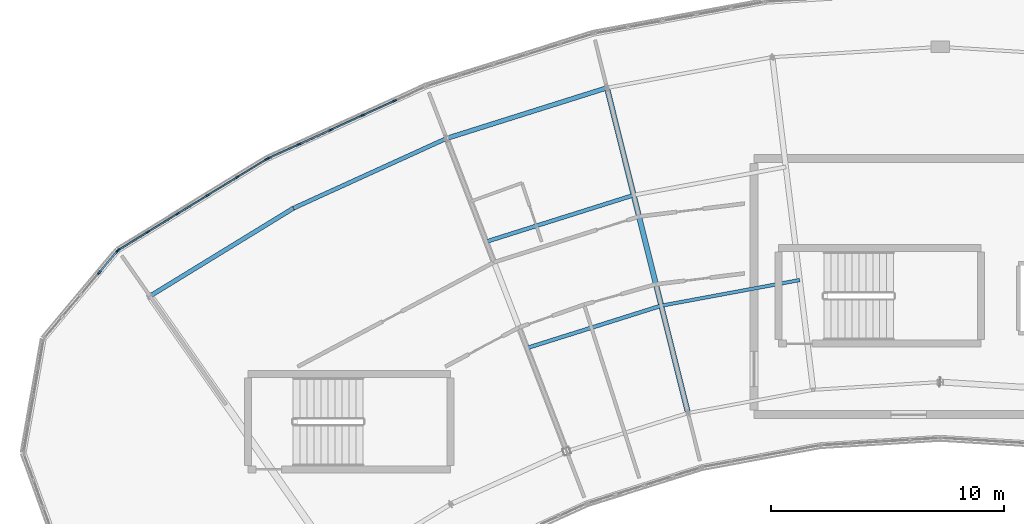
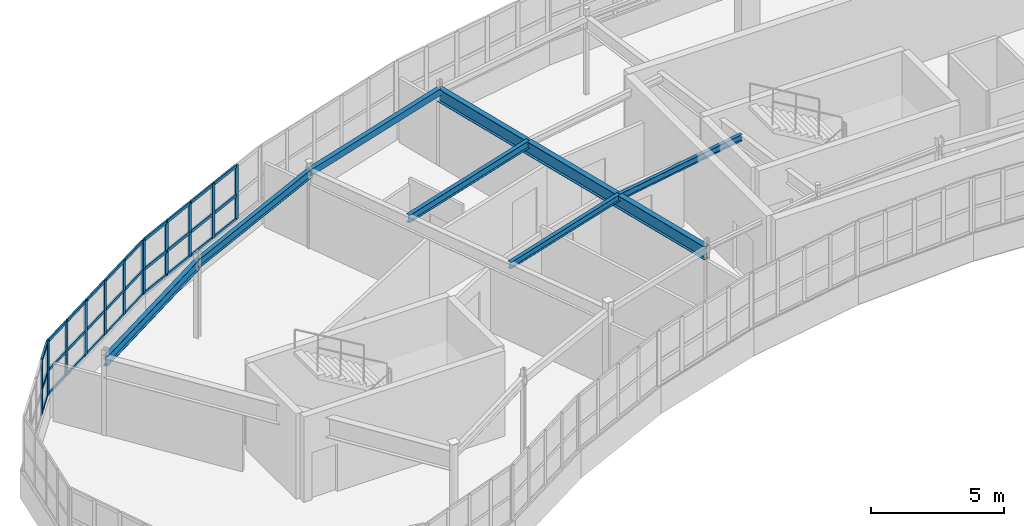
# One storey, part 35 of 79: 43 members, 7 beams, 3 elements without a shape of their own.
"""IFC4 building model written with IfcOpenShell, lengths in metres."""

from ifc_helpers import new_model, si_unit, direction, frame, origin, origin_2d, place, context, subcontext, project, spatial, rectangle, hollow_rectangle, i_section, extrude, material, layer, layer_set, material_profile, profile_set, type_object, element, aggregate, save


model = new_model("IFC4")

# Units and contexts
model_context = context("Model", 3, precision=1e-05, world=origin(), true_north=direction((0.0, 1.0)))
body_context = subcontext(model_context, "Body", "Model", "MODEL_VIEW")
ifc_project = project(units=[si_unit("LENGTHUNIT", "METRE"), si_unit("AREAUNIT", "SQUARE_METRE"), si_unit("VOLUMEUNIT", "CUBIC_METRE"), si_unit("PLANEANGLEUNIT", "RADIAN"), si_unit("MASSUNIT", "GRAM", prefix="KILO")], contexts=[model_context])

# Site, building, storey
site_placement = place(None, origin())
site = spatial("IfcSite", under=ifc_project, at=site_placement, CompositionType="ELEMENT")
building_placement = place(site_placement, origin())
building = spatial("IfcBuilding", under=site, at=building_placement, Name="Tarnwether General Hospital", CompositionType="ELEMENT")
storey_placement = place(building_placement, frame((0.0, 0.0, 18.300048828125)))
storey = spatial("IfcBuildingStorey", under=building, at=storey_placement, Name="L04", CompositionType="ELEMENT", Elevation=18.300048828125)

# Beams
ifc_material_1 = material(Name="Steel Grade 350 (350 MPa)", Category="steel")
ifc_material_profile_1 = material_profile(ifc_material_1, i_section(OverallWidth=0.22802734375, OverallDepth=0.60693359375, WebThickness=0.01123046875, FlangeThickness=0.017333984375, at=origin_2d()), Name="610UB113")
ifc_profile_set_1 = profile_set([ifc_material_profile_1], Name="Steel Grade 350 (350 MPa)")
beam_type_1 = type_object("IfcBeamType", Name="BM-G04", PredefinedType="BEAM", material=ifc_profile_set_1)
beam_1_placement = place(storey_placement, frame((77.677978515625, 120.44189453125, 3.25634765625), z_axis=(0.241941215118, -0.970290909175, 0.0), x_axis=(0.970290909175, 0.241941215118, 0.0)))
element("IfcBeam", 1, at=beam_1_placement, inside=storey, type_object=beam_type_1, Name="Curved Ward NW Radial Girder BMG-L04-7768_12044-8116_10647-1951", PredefinedType="BEAM", context=body_context, shape_type="SweptSolid", body=[
    extrude(i_section(OverallWidth=0.22802734375, OverallDepth=0.60693359375, WebThickness=0.01123046875, FlangeThickness=0.017333984375, at=origin_2d()), origin(), (0.0, 0.0, 1.0), 14.400634765625),
])
ifc_material_2 = material(Name="Steel Grade 350 (350 MPa)", Category="steel")
ifc_material_profile_2 = material_profile(ifc_material_2, i_section(OverallWidth=0.1708984375, OverallDepth=0.35595703125, WebThickness=0.00732421875, FlangeThickness=0.011474609375, at=origin_2d()), Name="360UB50.7")
ifc_profile_set_2 = profile_set([ifc_material_profile_2], Name="Steel Grade 350 (350 MPa)")
beam_type_2 = type_object("IfcBeamType", Name="BM-J04", PredefinedType="JOIST", material=ifc_profile_set_2)
beam_2_placement = place(storey_placement, frame((72.488037109375, 113.8310546875, 3.3818359375), z_axis=(0.953671429399, 0.300850136693, 0.0), x_axis=(-0.300850136693, 0.953671429399, 0.0)))
element("IfcBeam", 2, at=beam_2_placement, inside=storey, type_object=beam_type_2, Name="Curved Ward NW Chord Joist BMG-L04-7249_11383-7883_11583-1961", PredefinedType="JOIST", context=body_context, shape_type="SweptSolid", body=[
    extrude(i_section(OverallWidth=0.1708984375, OverallDepth=0.35595703125, WebThickness=0.00732421875, FlangeThickness=0.011474609375, at=origin_2d()), origin(), (0.0, 0.0, 1.0), 6.64794921875),
])
ifc_material_3 = material(Name="Steel Grade 350 (350 MPa)", Category="steel")
ifc_material_profile_3 = material_profile(ifc_material_3, i_section(OverallWidth=0.1650390625, OverallDepth=0.303955078125, WebThickness=0.006103515625, FlangeThickness=0.01025390625, at=origin_2d()), Name="310UB40.4")
ifc_profile_set_3 = profile_set([ifc_material_profile_3], Name="Steel Grade 350 (350 MPa)")
beam_type_3 = type_object("IfcBeamType", Name="BM-J07", PredefinedType="JOIST", material=ifc_profile_set_3)
beam_3_placement = place(storey_placement, frame((74.241943359375, 109.260986328125, 3.407958984375), z_axis=(0.953725879816, 0.300677478654, 0.0), x_axis=(-0.300677478654, 0.953725879816, 0.0)))
element("IfcBeam", 3, at=beam_3_placement, inside=storey, type_object=beam_type_3, Name="Curved Ward NW Chord Joist BMG-L04-7424_10926-8001_11108-1962", PredefinedType="JOIST", context=body_context, shape_type="SweptSolid", body=[
    extrude(i_section(OverallWidth=0.1650390625, OverallDepth=0.303955078125, WebThickness=0.006103515625, FlangeThickness=0.01025390625, at=origin_2d()), origin(), (0.0, 0.0, 1.0), 6.050048828125),
])
ifc_material_4 = material(Name="Steel Grade 350 (350 MPa)", Category="steel")
ifc_material_profile_4 = material_profile(ifc_material_4, i_section(OverallWidth=0.14892578125, OverallDepth=0.298095703125, WebThickness=0.005615234375, FlangeThickness=0.008056640625, at=origin_2d()), Name="310UB32.0")
ifc_profile_set_4 = profile_set([ifc_material_profile_4], Name="Steel Grade 350 (350 MPa)")
beam_type_4 = type_object("IfcBeamType", Name="BM-J08", PredefinedType="JOIST", material=ifc_profile_set_4)
beam_4_placement = place(storey_placement, frame((80.011962890625, 111.080078125, 3.410888671875), z_axis=(0.983241575901, 0.182307442029, 0.0), x_axis=(-0.182307442029, 0.983241575901, 0.0)))
element("IfcBeam", 4, at=beam_4_placement, inside=storey, type_object=beam_type_4, Name="Curved Ward NW Chord Joist BMG-L04-8001_11108-8596_11218-1966", PredefinedType="JOIST", context=body_context, shape_type="SweptSolid", body=[
    extrude(i_section(OverallWidth=0.14892578125, OverallDepth=0.298095703125, WebThickness=0.005615234375, FlangeThickness=0.008056640625, at=origin_2d()), origin(), (0.0, 0.0, 1.0), 6.05029296875),
])
ifc_material_5 = material(Name="Steel Grade 350 (350 MPa)", Category="steel")
ifc_material_profile_5 = material_profile(ifc_material_5, i_section(OverallWidth=0.18994140625, OverallDepth=0.4541015625, WebThickness=0.008544921875, FlangeThickness=0.0126953125, at=origin_2d()), Name="460UB67.1")
ifc_profile_set_5 = profile_set([ifc_material_profile_5], Name="Steel Grade 350 (350 MPa)")
beam_type_5 = type_object("IfcBeamType", Name="BM-SP1", PredefinedType="SPANDREL", material=ifc_profile_set_5)
beam_5_placement = place(storey_placement, frame((58.0439453125, 111.493896484375, 3.3330078125), z_axis=(0.852678430503, 0.522436114902, 0.0), x_axis=(-0.522436114902, 0.852678430503, 0.0)))
element("IfcBeam", 5, at=beam_5_placement, inside=storey, type_object=beam_type_5, Name="Curved Ward NW Outer Spandrel BMG-L04-5804_11149-6421_11527-1955", PredefinedType="SPANDREL", context=body_context, shape_type="SweptSolid", body=[
    extrude(i_section(OverallWidth=0.18994140625, OverallDepth=0.4541015625, WebThickness=0.008544921875, FlangeThickness=0.0126953125, at=origin_2d()), origin(), (0.0, 0.0, 1.0), 7.22802734375),
])
ifc_material_6 = material(Name="Steel Grade 350 (350 MPa)", Category="steel")
ifc_material_profile_6 = material_profile(ifc_material_6, i_section(OverallWidth=0.177978515625, OverallDepth=0.403076171875, WebThickness=0.007568359375, FlangeThickness=0.010986328125, at=origin_2d()), Name="410UB53.7")
ifc_profile_set_6 = profile_set([ifc_material_profile_6], Name="Steel Grade 350 (350 MPa)")
beam_type_6 = type_object("IfcBeamType", Name="BM-SP2", PredefinedType="SPANDREL", material=ifc_profile_set_6)
beam_6_placement = place(storey_placement, frame((64.20703125, 115.27001953125, 3.3583984375), z_axis=(0.909943842177, 0.414731484316, 0.0), x_axis=(-0.414731484316, 0.909943842177, 0.0)))
element("IfcBeam", 6, at=beam_6_placement, inside=storey, type_object=beam_type_6, Name="Curved Ward NW Outer Spandrel BMG-L04-6421_11527-7078_11827-1957", PredefinedType="SPANDREL", context=body_context, shape_type="SweptSolid", body=[
    extrude(i_section(OverallWidth=0.177978515625, OverallDepth=0.403076171875, WebThickness=0.007568359375, FlangeThickness=0.010986328125, at=origin_2d()), origin(), (0.0, 0.0, 1.0), 7.22900390625),
])
ifc_material_7 = material(Name="Steel Grade C350L0 (350 MPa)", Category="steel")
ifc_material_profile_7 = material_profile(ifc_material_7, hollow_rectangle(XDim=0.199951171875, YDim=0.300048828125, WallThickness=0.012451171875, at=origin_2d()), Name="RHS300x200x12.5")
ifc_profile_set_7 = profile_set([ifc_material_profile_7], Name="Steel Grade C350L0 (350 MPa)")
beam_type_7 = type_object("IfcBeamType", Name="BM-SP3", PredefinedType="SPANDREL", material=ifc_profile_set_7)
beam_7_placement = place(storey_placement, frame((70.784912109375, 118.26806640625, 3.409912109375), z_axis=(0.953698988948, 0.300762761125, 0.0), x_axis=(-0.300762761125, 0.953698988948, 0.0)))
element("IfcBeam", 7, at=beam_7_placement, inside=storey, type_object=beam_type_7, Name="Curved Ward NW Outer Spandrel BMG-L04-7078_11827-7768_12044-1959", PredefinedType="SPANDREL", context=body_context, shape_type="SweptSolid", body=[
    extrude(hollow_rectangle(XDim=0.199951171875, YDim=0.300048828125, WallThickness=0.012451171875, at=origin_2d()), origin(), (0.0, 0.0, 1.0), 7.227783203125),
])

# Curtain wall, members
ifc_material_8 = material(Name="Anodised aluminium", Category="aluminium")
ifc_layer_1 = layer(ifc_material_8, 0.159912109375)
ifc_layer_set_1 = layer_set([ifc_layer_1], Name="Anodised aluminium")
curtain_wall_type_1 = type_object("IfcCurtainWallType", Name="CW-02", PredefinedType="NOTDEFINED", material=ifc_layer_set_1)
curtain_wall_1_placement = place(storey_placement, origin())
curtain_wall_1 = element("IfcCurtainWall", 8, at=curtain_wall_1_placement, inside=storey, type_object=curtain_wall_type_1, Name="Curtain Wall CWG-L04-631_1174-0062", PredefinedType="NOTDEFINED")
ifc_material_9 = material(Name="Anodised aluminium", Category="aluminium")
ifc_material_profile_8 = material_profile(ifc_material_9, rectangle(XDim=0.070068359375, YDim=0.179931640625, at=origin_2d()), Name="ALU-MUL-70x180")
ifc_profile_set_8 = profile_set([ifc_material_profile_8], Name="Anodised aluminium")
member_type_1 = type_object("IfcMemberType", Name="CW-ML2", PredefinedType="MULLION", material=ifc_profile_set_8)
member_1_placement = place(storey_placement, frame((63.11279296875, 117.404541015625, 1.050048828125), z_axis=(0.0, 0.0, 1.0), x_axis=(-0.414694289316, 0.909960793886, 0.0)))
member_1 = element("IfcMember", 9, at=member_1_placement, type_object=member_type_1, Name="CW-02 mullion 1", PredefinedType="MULLION", context=body_context, shape_type="SweptSolid", body=[
    extrude(rectangle(XDim=0.070068359375, YDim=0.179931640625, at=origin_2d()), origin(), (0.0, 0.0, 1.0), 2.489990234375),
])
member_2_placement = place(storey_placement, frame((64.44970703125, 118.013916015625, 1.050048828125), z_axis=(0.0, 0.0, 1.0), x_axis=(-0.414694289316, 0.909960793886, 0.0)))
member_2 = element("IfcMember", 10, at=member_2_placement, type_object=member_type_1, Name="CW-02 mullion 2", PredefinedType="MULLION", context=body_context, shape_type="SweptSolid", body=[
    extrude(rectangle(XDim=0.070068359375, YDim=0.179931640625, at=origin_2d()), origin(), (0.0, 0.0, 1.0), 2.489990234375),
])
member_3_placement = place(storey_placement, frame((65.818603515625, 118.6376953125, 1.050048828125), z_axis=(0.0, 0.0, 1.0), x_axis=(-0.414694289316, 0.909960793886, 0.0)))
member_3 = element("IfcMember", 11, at=member_3_placement, type_object=member_type_1, Name="CW-02 mullion 3", PredefinedType="MULLION", context=body_context, shape_type="SweptSolid", body=[
    extrude(rectangle(XDim=0.070068359375, YDim=0.179931640625, at=origin_2d()), origin(), (0.0, 0.0, 1.0), 2.489990234375),
])
member_4_placement = place(storey_placement, frame((67.1875, 119.261474609375, 1.050048828125), z_axis=(0.0, 0.0, 1.0), x_axis=(-0.414694289316, 0.909960793886, 0.0)))
member_4 = element("IfcMember", 12, at=member_4_placement, type_object=member_type_1, Name="CW-02 mullion 4", PredefinedType="MULLION", context=body_context, shape_type="SweptSolid", body=[
    extrude(rectangle(XDim=0.070068359375, YDim=0.179931640625, at=origin_2d()), origin(), (0.0, 0.0, 1.0), 2.489990234375),
])
member_5_placement = place(storey_placement, frame((68.55615234375, 119.88525390625, 1.050048828125), z_axis=(0.0, 0.0, 1.0), x_axis=(-0.414694289316, 0.909960793886, 0.0)))
member_5 = element("IfcMember", 13, at=member_5_placement, type_object=member_type_1, Name="CW-02 mullion 5", PredefinedType="MULLION", context=body_context, shape_type="SweptSolid", body=[
    extrude(rectangle(XDim=0.070068359375, YDim=0.179931640625, at=origin_2d()), origin(), (0.0, 0.0, 1.0), 2.489990234375),
])

curtain_wall_2_placement = place(storey_placement, origin())
curtain_wall_2 = element("IfcCurtainWall", 14, at=curtain_wall_2_placement, inside=storey, type_object=curtain_wall_type_1, Name="Curtain Wall CWG-L04-567_1135-0063", PredefinedType="NOTDEFINED")
ifc_material_10 = material(Name="Anodised aluminium", Category="aluminium")
ifc_material_profile_9 = material_profile(ifc_material_10, rectangle(XDim=0.06494140625, YDim=0.169921875, at=origin_2d()), Name="ALU-MUL-65x170")
ifc_profile_set_9 = profile_set([ifc_material_profile_9], Name="Anodised aluminium")
member_type_2 = type_object("IfcMemberType", Name="CW-ML3", PredefinedType="MULLION", material=ifc_profile_set_9)
member_6_placement = place(storey_placement, frame((56.69580078125, 113.47705078125, 1.050048828125), z_axis=(0.0, 0.0, 1.0), x_axis=(-0.522509056361, 0.852633734977, 0.0)))
member_6 = element("IfcMember", 15, at=member_6_placement, type_object=member_type_2, Name="CW-02 mullion 1", PredefinedType="MULLION", context=body_context, shape_type="SweptSolid", body=[
    extrude(rectangle(XDim=0.06494140625, YDim=0.169921875, at=origin_2d()), origin(), (0.0, 0.0, 1.0), 2.489990234375),
])
member_7_placement = place(storey_placement, frame((57.95068359375, 114.24609375, 1.050048828125), z_axis=(0.0, 0.0, 1.0), x_axis=(-0.522509056361, 0.852633734977, 0.0)))
member_7 = element("IfcMember", 16, at=member_7_placement, type_object=member_type_2, Name="CW-02 mullion 2", PredefinedType="MULLION", context=body_context, shape_type="SweptSolid", body=[
    extrude(rectangle(XDim=0.06494140625, YDim=0.169921875, at=origin_2d()), origin(), (0.0, 0.0, 1.0), 2.489990234375),
])
member_8_placement = place(storey_placement, frame((59.233154296875, 115.031982421875, 1.050048828125), z_axis=(0.0, 0.0, 1.0), x_axis=(-0.522509056361, 0.852633734977, 0.0)))
member_8 = element("IfcMember", 17, at=member_8_placement, type_object=member_type_2, Name="CW-02 mullion 3", PredefinedType="MULLION", context=body_context, shape_type="SweptSolid", body=[
    extrude(rectangle(XDim=0.06494140625, YDim=0.169921875, at=origin_2d()), origin(), (0.0, 0.0, 1.0), 2.489990234375),
])
member_9_placement = place(storey_placement, frame((60.515869140625, 115.818115234375, 1.050048828125), z_axis=(0.0, 0.0, 1.0), x_axis=(-0.522509056361, 0.852633734977, 0.0)))
member_9 = element("IfcMember", 18, at=member_9_placement, type_object=member_type_2, Name="CW-02 mullion 4", PredefinedType="MULLION", context=body_context, shape_type="SweptSolid", body=[
    extrude(rectangle(XDim=0.06494140625, YDim=0.169921875, at=origin_2d()), origin(), (0.0, 0.0, 1.0), 2.489990234375),
])
member_10_placement = place(storey_placement, frame((61.79833984375, 116.60400390625, 1.050048828125), z_axis=(0.0, 0.0, 1.0), x_axis=(-0.522509056361, 0.852633734977, 0.0)))
member_10 = element("IfcMember", 19, at=member_10_placement, type_object=member_type_2, Name="CW-02 mullion 5", PredefinedType="MULLION", context=body_context, shape_type="SweptSolid", body=[
    extrude(rectangle(XDim=0.06494140625, YDim=0.169921875, at=origin_2d()), origin(), (0.0, 0.0, 1.0), 2.489990234375),
])
member_11_placement = place(storey_placement, frame((63.05322265625, 117.373046875, 1.050048828125), z_axis=(0.0, 0.0, 1.0), x_axis=(-0.522509056361, 0.852633734977, 0.0)))
member_11 = element("IfcMember", 20, at=member_11_placement, type_object=member_type_2, Name="CW-02 mullion 6", PredefinedType="MULLION", context=body_context, shape_type="SweptSolid", body=[
    extrude(rectangle(XDim=0.06494140625, YDim=0.169921875, at=origin_2d()), origin(), (0.0, 0.0, 1.0), 2.489990234375),
])

ifc_material_11 = material(Name="Anodised aluminium", Category="aluminium")
ifc_layer_2 = layer(ifc_material_11, 0.159912109375)
ifc_layer_set_2 = layer_set([ifc_layer_2], Name="Anodised aluminium")
curtain_wall_type_2 = type_object("IfcCurtainWallType", Name="CW-04", PredefinedType="NOTDEFINED", material=ifc_layer_set_2)
curtain_wall_3_placement = place(storey_placement, origin())
curtain_wall_3 = element("IfcCurtainWall", 21, at=curtain_wall_3_placement, inside=storey, type_object=curtain_wall_type_2, Name="Curtain Wall CWG-L04-535_1097-0064", PredefinedType="NOTDEFINED")
ifc_material_12 = material(Name="Anodised aluminium", Category="aluminium")
ifc_material_profile_10 = material_profile(ifc_material_12, rectangle(XDim=0.080078125, YDim=0.199951171875, at=origin_2d()), Name="ALU-MUL-80x200")
ifc_profile_set_10 = profile_set([ifc_material_profile_10], Name="Anodised aluminium")
member_type_3 = type_object("IfcMemberType", Name="CW-ML4", PredefinedType="MULLION", material=ifc_profile_set_10)
member_12_placement = place(storey_placement, frame((55.869140625, 112.50830078125, 1.050048828125), z_axis=(0.0, 0.0, 1.0), x_axis=(-0.765990176896, 0.64285227611, 0.0)))
member_12 = element("IfcMember", 22, at=member_12_placement, type_object=member_type_3, Name="CW-04 mullion 4", PredefinedType="MULLION", context=body_context, shape_type="SweptSolid", body=[
    extrude(rectangle(XDim=0.080078125, YDim=0.199951171875, at=origin_2d()), origin(), (0.0, 0.0, 1.0), 2.489990234375),
])
member_13_placement = place(storey_placement, frame((56.642333984375, 113.429443359375, 1.050048828125), z_axis=(0.0, 0.0, 1.0), x_axis=(-0.765990176896, 0.64285227611, 0.0)))
member_13 = element("IfcMember", 23, at=member_13_placement, type_object=member_type_3, Name="CW-04 mullion 5", PredefinedType="MULLION", context=body_context, shape_type="SweptSolid", body=[
    extrude(rectangle(XDim=0.080078125, YDim=0.199951171875, at=origin_2d()), origin(), (0.0, 0.0, 1.0), 2.489990234375),
])

# Member
ifc_material_13 = material(Name="Anodised aluminium", Category="aluminium")
ifc_material_profile_11 = material_profile(ifc_material_13, rectangle(XDim=0.070068359375, YDim=0.139892578125, at=origin_2d()), Name="ALU-TRN-70x140")
ifc_profile_set_11 = profile_set([ifc_material_profile_11], Name="Anodised aluminium")
member_type_4 = type_object("IfcMemberType", Name="CW-TR2", PredefinedType="USERDEFINED", material=ifc_profile_set_11)
member_14_placement = place(storey_placement, frame((63.144775390625, 117.4189453125, 1.0849609375), z_axis=(0.909935750091, 0.414749238344, 0.0), x_axis=(-0.414749238344, 0.909935750091, 0.0)))
member_14 = element("IfcMember", 24, at=member_14_placement, type_object=member_type_4, Name="CW-02 transom 1.1", ObjectType="TRANSOM", PredefinedType="USERDEFINED", context=body_context, shape_type="SweptSolid", body=[
    extrude(rectangle(XDim=0.070068359375, YDim=0.139892578125, at=origin_2d()), origin(), (0.0, 0.0, 1.0), 1.399169921875),
])

member_15_placement = place(storey_placement, frame((63.144775390625, 117.4189453125, 2.17041015625), z_axis=(0.909935750091, 0.414749238344, 0.0), x_axis=(-0.414749238344, 0.909935750091, 0.0)))
member_15 = element("IfcMember", 25, at=member_15_placement, type_object=member_type_4, Name="CW-02 transom 1.2", ObjectType="TRANSOM", PredefinedType="USERDEFINED", context=body_context, shape_type="SweptSolid", body=[
    extrude(rectangle(XDim=0.070068359375, YDim=0.139892578125, at=origin_2d()), origin(), (0.0, 0.0, 1.0), 1.399169921875),
])

member_16_placement = place(storey_placement, frame((63.144775390625, 117.4189453125, 3.5048828125), z_axis=(0.909935750091, 0.414749238344, 0.0), x_axis=(-0.414749238344, 0.909935750091, 0.0)))
member_16 = element("IfcMember", 26, at=member_16_placement, type_object=member_type_4, Name="CW-02 transom 1.3", ObjectType="TRANSOM", PredefinedType="USERDEFINED", context=body_context, shape_type="SweptSolid", body=[
    extrude(rectangle(XDim=0.070068359375, YDim=0.139892578125, at=origin_2d()), origin(), (0.0, 0.0, 1.0), 1.399169921875),
])

member_17_placement = place(storey_placement, frame((64.481689453125, 118.0283203125, 1.0849609375), z_axis=(0.909981346388, 0.414649188141, 0.0), x_axis=(-0.414649188141, 0.909981346388, 0.0)))
member_17 = element("IfcMember", 27, at=member_17_placement, type_object=member_type_4, Name="CW-02 transom 2.1", ObjectType="TRANSOM", PredefinedType="USERDEFINED", context=body_context, shape_type="SweptSolid", body=[
    extrude(rectangle(XDim=0.070068359375, YDim=0.139892578125, at=origin_2d()), origin(), (0.0, 0.0, 1.0), 1.434326171875),
])

member_18_placement = place(storey_placement, frame((64.481689453125, 118.0283203125, 2.17041015625), z_axis=(0.909981346388, 0.414649188141, 0.0), x_axis=(-0.414649188141, 0.909981346388, 0.0)))
member_18 = element("IfcMember", 28, at=member_18_placement, type_object=member_type_4, Name="CW-02 transom 2.2", ObjectType="TRANSOM", PredefinedType="USERDEFINED", context=body_context, shape_type="SweptSolid", body=[
    extrude(rectangle(XDim=0.070068359375, YDim=0.139892578125, at=origin_2d()), origin(), (0.0, 0.0, 1.0), 1.434326171875),
])

member_19_placement = place(storey_placement, frame((64.481689453125, 118.0283203125, 3.5048828125), z_axis=(0.909981346388, 0.414649188141, 0.0), x_axis=(-0.414649188141, 0.909981346388, 0.0)))
member_19 = element("IfcMember", 29, at=member_19_placement, type_object=member_type_4, Name="CW-02 transom 2.3", ObjectType="TRANSOM", PredefinedType="USERDEFINED", context=body_context, shape_type="SweptSolid", body=[
    extrude(rectangle(XDim=0.070068359375, YDim=0.139892578125, at=origin_2d()), origin(), (0.0, 0.0, 1.0), 1.434326171875),
])

member_20_placement = place(storey_placement, frame((65.850341796875, 118.652099609375, 1.0849609375), z_axis=(0.909981346388, 0.414649188141, 0.0), x_axis=(-0.414649188141, 0.909981346388, 0.0)))
member_20 = element("IfcMember", 30, at=member_20_placement, type_object=member_type_4, Name="CW-02 transom 3.1", ObjectType="TRANSOM", PredefinedType="USERDEFINED", context=body_context, shape_type="SweptSolid", body=[
    extrude(rectangle(XDim=0.070068359375, YDim=0.139892578125, at=origin_2d()), origin(), (0.0, 0.0, 1.0), 1.434326171875),
])

member_21_placement = place(storey_placement, frame((65.850341796875, 118.652099609375, 2.17041015625), z_axis=(0.909981346388, 0.414649188141, 0.0), x_axis=(-0.414649188141, 0.909981346388, 0.0)))
member_21 = element("IfcMember", 31, at=member_21_placement, type_object=member_type_4, Name="CW-02 transom 3.2", ObjectType="TRANSOM", PredefinedType="USERDEFINED", context=body_context, shape_type="SweptSolid", body=[
    extrude(rectangle(XDim=0.070068359375, YDim=0.139892578125, at=origin_2d()), origin(), (0.0, 0.0, 1.0), 1.434326171875),
])

member_22_placement = place(storey_placement, frame((65.850341796875, 118.652099609375, 3.5048828125), z_axis=(0.909981346388, 0.414649188141, 0.0), x_axis=(-0.414649188141, 0.909981346388, 0.0)))
member_22 = element("IfcMember", 32, at=member_22_placement, type_object=member_type_4, Name="CW-02 transom 3.3", ObjectType="TRANSOM", PredefinedType="USERDEFINED", context=body_context, shape_type="SweptSolid", body=[
    extrude(rectangle(XDim=0.070068359375, YDim=0.139892578125, at=origin_2d()), origin(), (0.0, 0.0, 1.0), 1.434326171875),
])

member_23_placement = place(storey_placement, frame((67.21923828125, 119.27587890625, 1.0849609375), z_axis=(0.909981346388, 0.414649188141, 0.0), x_axis=(-0.414649188141, 0.909981346388, 0.0)))
member_23 = element("IfcMember", 33, at=member_23_placement, type_object=member_type_4, Name="CW-02 transom 4.1", ObjectType="TRANSOM", PredefinedType="USERDEFINED", context=body_context, shape_type="SweptSolid", body=[
    extrude(rectangle(XDim=0.070068359375, YDim=0.139892578125, at=origin_2d()), origin(), (0.0, 0.0, 1.0), 1.434326171875),
])

member_24_placement = place(storey_placement, frame((67.21923828125, 119.27587890625, 2.17041015625), z_axis=(0.909981346388, 0.414649188141, 0.0), x_axis=(-0.414649188141, 0.909981346388, 0.0)))
member_24 = element("IfcMember", 34, at=member_24_placement, type_object=member_type_4, Name="CW-02 transom 4.2", ObjectType="TRANSOM", PredefinedType="USERDEFINED", context=body_context, shape_type="SweptSolid", body=[
    extrude(rectangle(XDim=0.070068359375, YDim=0.139892578125, at=origin_2d()), origin(), (0.0, 0.0, 1.0), 1.434326171875),
])

member_25_placement = place(storey_placement, frame((67.21923828125, 119.27587890625, 3.5048828125), z_axis=(0.909981346388, 0.414649188141, 0.0), x_axis=(-0.414649188141, 0.909981346388, 0.0)))
member_25 = element("IfcMember", 35, at=member_25_placement, type_object=member_type_4, Name="CW-02 transom 4.3", ObjectType="TRANSOM", PredefinedType="USERDEFINED", context=body_context, shape_type="SweptSolid", body=[
    extrude(rectangle(XDim=0.070068359375, YDim=0.139892578125, at=origin_2d()), origin(), (0.0, 0.0, 1.0), 1.434326171875),
])

aggregate(curtain_wall_1, [member_1, member_2, member_3, member_4, member_5, member_14, member_15, member_16, member_17, member_18, member_19, member_20, member_21, member_22, member_23, member_24, member_25])

ifc_material_14 = material(Name="Anodised aluminium", Category="aluminium")
ifc_material_profile_12 = material_profile(ifc_material_14, rectangle(XDim=0.06494140625, YDim=0.1298828125, at=origin_2d()), Name="ALU-TRN-65x130")
ifc_profile_set_12 = profile_set([ifc_material_profile_12], Name="Anodised aluminium")
member_type_5 = type_object("IfcMemberType", Name="CW-TR3", PredefinedType="USERDEFINED", material=ifc_profile_set_12)
member_26_placement = place(storey_placement, frame((56.723388671875, 113.493896484375, 1.08251953125), z_axis=(0.852616217182, 0.522537640939, 0.0), x_axis=(-0.522537640939, 0.852616217182, 0.0)))
member_26 = element("IfcMember", 36, at=member_26_placement, type_object=member_type_5, Name="CW-02 transom 1.1", ObjectType="TRANSOM", PredefinedType="USERDEFINED", context=body_context, shape_type="SweptSolid", body=[
    extrude(rectangle(XDim=0.06494140625, YDim=0.1298828125, at=origin_2d()), origin(), (0.0, 0.0, 1.0), 1.40673828125),
])

member_27_placement = place(storey_placement, frame((56.723388671875, 113.493896484375, 2.17041015625), z_axis=(0.852616217182, 0.522537640939, 0.0), x_axis=(-0.522537640939, 0.852616217182, 0.0)))
member_27 = element("IfcMember", 37, at=member_27_placement, type_object=member_type_5, Name="CW-02 transom 1.2", ObjectType="TRANSOM", PredefinedType="USERDEFINED", context=body_context, shape_type="SweptSolid", body=[
    extrude(rectangle(XDim=0.06494140625, YDim=0.1298828125, at=origin_2d()), origin(), (0.0, 0.0, 1.0), 1.40673828125),
])

member_28_placement = place(storey_placement, frame((56.723388671875, 113.493896484375, 3.507568359375), z_axis=(0.852616217182, 0.522537640939, 0.0), x_axis=(-0.522537640939, 0.852616217182, 0.0)))
member_28 = element("IfcMember", 38, at=member_28_placement, type_object=member_type_5, Name="CW-02 transom 1.3", ObjectType="TRANSOM", PredefinedType="USERDEFINED", context=body_context, shape_type="SweptSolid", body=[
    extrude(rectangle(XDim=0.06494140625, YDim=0.1298828125, at=origin_2d()), origin(), (0.0, 0.0, 1.0), 1.40673828125),
])

member_29_placement = place(storey_placement, frame((57.978271484375, 114.262939453125, 1.08251953125), z_axis=(0.852606127566, 0.522554103646, 0.0), x_axis=(-0.522554103646, 0.852606127566, 0.0)))
member_29 = element("IfcMember", 39, at=member_29_placement, type_object=member_type_5, Name="CW-02 transom 2.1", ObjectType="TRANSOM", PredefinedType="USERDEFINED", context=body_context, shape_type="SweptSolid", body=[
    extrude(rectangle(XDim=0.06494140625, YDim=0.1298828125, at=origin_2d()), origin(), (0.0, 0.0, 1.0), 1.439453125),
])

member_30_placement = place(storey_placement, frame((57.978271484375, 114.262939453125, 2.17041015625), z_axis=(0.852606127566, 0.522554103646, 0.0), x_axis=(-0.522554103646, 0.852606127566, 0.0)))
member_30 = element("IfcMember", 40, at=member_30_placement, type_object=member_type_5, Name="CW-02 transom 2.2", ObjectType="TRANSOM", PredefinedType="USERDEFINED", context=body_context, shape_type="SweptSolid", body=[
    extrude(rectangle(XDim=0.06494140625, YDim=0.1298828125, at=origin_2d()), origin(), (0.0, 0.0, 1.0), 1.439453125),
])

member_31_placement = place(storey_placement, frame((57.978271484375, 114.262939453125, 3.507568359375), z_axis=(0.852606127566, 0.522554103646, 0.0), x_axis=(-0.522554103646, 0.852606127566, 0.0)))
member_31 = element("IfcMember", 41, at=member_31_placement, type_object=member_type_5, Name="CW-02 transom 2.3", ObjectType="TRANSOM", PredefinedType="USERDEFINED", context=body_context, shape_type="SweptSolid", body=[
    extrude(rectangle(XDim=0.06494140625, YDim=0.1298828125, at=origin_2d()), origin(), (0.0, 0.0, 1.0), 1.439453125),
])

member_32_placement = place(storey_placement, frame((59.260986328125, 115.049072265625, 1.08251953125), z_axis=(0.852635384896, 0.522506364003, 0.0), x_axis=(-0.522506364003, 0.852635384896, 0.0)))
member_32 = element("IfcMember", 42, at=member_32_placement, type_object=member_type_5, Name="CW-02 transom 3.1", ObjectType="TRANSOM", PredefinedType="USERDEFINED", context=body_context, shape_type="SweptSolid", body=[
    extrude(rectangle(XDim=0.06494140625, YDim=0.1298828125, at=origin_2d()), origin(), (0.0, 0.0, 1.0), 1.439208984375),
])

member_33_placement = place(storey_placement, frame((59.260986328125, 115.049072265625, 2.17041015625), z_axis=(0.852635384896, 0.522506364003, 0.0), x_axis=(-0.522506364003, 0.852635384896, 0.0)))
member_33 = element("IfcMember", 43, at=member_33_placement, type_object=member_type_5, Name="CW-02 transom 3.2", ObjectType="TRANSOM", PredefinedType="USERDEFINED", context=body_context, shape_type="SweptSolid", body=[
    extrude(rectangle(XDim=0.06494140625, YDim=0.1298828125, at=origin_2d()), origin(), (0.0, 0.0, 1.0), 1.439208984375),
])

member_34_placement = place(storey_placement, frame((59.260986328125, 115.049072265625, 3.507568359375), z_axis=(0.852635384896, 0.522506364003, 0.0), x_axis=(-0.522506364003, 0.852635384896, 0.0)))
member_34 = element("IfcMember", 44, at=member_34_placement, type_object=member_type_5, Name="CW-02 transom 3.3", ObjectType="TRANSOM", PredefinedType="USERDEFINED", context=body_context, shape_type="SweptSolid", body=[
    extrude(rectangle(XDim=0.06494140625, YDim=0.1298828125, at=origin_2d()), origin(), (0.0, 0.0, 1.0), 1.439208984375),
])

member_35_placement = place(storey_placement, frame((60.54345703125, 115.8349609375, 1.08251953125), z_axis=(0.852681690101, 0.52243079481, 0.0), x_axis=(-0.52243079481, 0.852681690101, 0.0)))
member_35 = element("IfcMember", 45, at=member_35_placement, type_object=member_type_5, Name="CW-02 transom 4.1", ObjectType="TRANSOM", PredefinedType="USERDEFINED", context=body_context, shape_type="SweptSolid", body=[
    extrude(rectangle(XDim=0.06494140625, YDim=0.1298828125, at=origin_2d()), origin(), (0.0, 0.0, 1.0), 1.439453125),
])

member_36_placement = place(storey_placement, frame((60.54345703125, 115.8349609375, 2.17041015625), z_axis=(0.852681690101, 0.52243079481, 0.0), x_axis=(-0.52243079481, 0.852681690101, 0.0)))
member_36 = element("IfcMember", 46, at=member_36_placement, type_object=member_type_5, Name="CW-02 transom 4.2", ObjectType="TRANSOM", PredefinedType="USERDEFINED", context=body_context, shape_type="SweptSolid", body=[
    extrude(rectangle(XDim=0.06494140625, YDim=0.1298828125, at=origin_2d()), origin(), (0.0, 0.0, 1.0), 1.439453125),
])

member_37_placement = place(storey_placement, frame((60.54345703125, 115.8349609375, 3.507568359375), z_axis=(0.852681690101, 0.52243079481, 0.0), x_axis=(-0.52243079481, 0.852681690101, 0.0)))
member_37 = element("IfcMember", 47, at=member_37_placement, type_object=member_type_5, Name="CW-02 transom 4.3", ObjectType="TRANSOM", PredefinedType="USERDEFINED", context=body_context, shape_type="SweptSolid", body=[
    extrude(rectangle(XDim=0.06494140625, YDim=0.1298828125, at=origin_2d()), origin(), (0.0, 0.0, 1.0), 1.439453125),
])

member_38_placement = place(storey_placement, frame((61.826171875, 116.62109375, 1.08251953125), z_axis=(0.852693532392, 0.522411466008, 0.0), x_axis=(-0.522411466008, 0.852693532392, 0.0)))
member_38 = element("IfcMember", 48, at=member_38_placement, type_object=member_type_5, Name="CW-02 transom 5.1", ObjectType="TRANSOM", PredefinedType="USERDEFINED", context=body_context, shape_type="SweptSolid", body=[
    extrude(rectangle(XDim=0.06494140625, YDim=0.1298828125, at=origin_2d()), origin(), (0.0, 0.0, 1.0), 1.40673828125),
])

member_39_placement = place(storey_placement, frame((61.826171875, 116.62109375, 2.17041015625), z_axis=(0.852693532392, 0.522411466008, 0.0), x_axis=(-0.522411466008, 0.852693532392, 0.0)))
member_39 = element("IfcMember", 49, at=member_39_placement, type_object=member_type_5, Name="CW-02 transom 5.2", ObjectType="TRANSOM", PredefinedType="USERDEFINED", context=body_context, shape_type="SweptSolid", body=[
    extrude(rectangle(XDim=0.06494140625, YDim=0.1298828125, at=origin_2d()), origin(), (0.0, 0.0, 1.0), 1.40673828125),
])

member_40_placement = place(storey_placement, frame((61.826171875, 116.62109375, 3.507568359375), z_axis=(0.852693532392, 0.522411466008, 0.0), x_axis=(-0.522411466008, 0.852693532392, 0.0)))
member_40 = element("IfcMember", 50, at=member_40_placement, type_object=member_type_5, Name="CW-02 transom 5.3", ObjectType="TRANSOM", PredefinedType="USERDEFINED", context=body_context, shape_type="SweptSolid", body=[
    extrude(rectangle(XDim=0.06494140625, YDim=0.1298828125, at=origin_2d()), origin(), (0.0, 0.0, 1.0), 1.40673828125),
])

aggregate(curtain_wall_2, [member_6, member_7, member_8, member_9, member_10, member_11, member_26, member_27, member_28, member_29, member_30, member_31, member_32, member_33, member_34, member_35, member_36, member_37, member_38, member_39, member_40])

ifc_material_15 = material(Name="Anodised aluminium", Category="aluminium")
ifc_material_profile_13 = material_profile(ifc_material_15, rectangle(XDim=0.080078125, YDim=0.14990234375, at=origin_2d()), Name="ALU-TRN-80x150")
ifc_profile_set_13 = profile_set([ifc_material_profile_13], Name="Anodised aluminium")
member_type_6 = type_object("IfcMemberType", Name="CW-TR4", PredefinedType="USERDEFINED", material=ifc_profile_set_13)
member_41_placement = place(storey_placement, frame((55.89501953125, 112.538818359375, 1.08984375), z_axis=(0.642748180301, 0.766077526572, 0.0), x_axis=(-0.766077526572, 0.642748180301, 0.0)))
member_41 = element("IfcMember", 51, at=member_41_placement, type_object=member_type_6, Name="CW-04 transom 4.1", ObjectType="TRANSOM", PredefinedType="USERDEFINED", context=body_context, shape_type="SweptSolid", body=[
    extrude(rectangle(XDim=0.080078125, YDim=0.14990234375, at=origin_2d()), origin(), (0.0, 0.0, 1.0), 1.122314453125),
])

member_42_placement = place(storey_placement, frame((55.89501953125, 112.538818359375, 2.17041015625), z_axis=(0.642748180301, 0.766077526572, 0.0), x_axis=(-0.766077526572, 0.642748180301, 0.0)))
member_42 = element("IfcMember", 52, at=member_42_placement, type_object=member_type_6, Name="CW-04 transom 4.2", ObjectType="TRANSOM", PredefinedType="USERDEFINED", context=body_context, shape_type="SweptSolid", body=[
    extrude(rectangle(XDim=0.080078125, YDim=0.14990234375, at=origin_2d()), origin(), (0.0, 0.0, 1.0), 1.122314453125),
])

member_43_placement = place(storey_placement, frame((55.89501953125, 112.538818359375, 3.5), z_axis=(0.642748180301, 0.766077526572, 0.0), x_axis=(-0.766077526572, 0.642748180301, 0.0)))
member_43 = element("IfcMember", 53, at=member_43_placement, type_object=member_type_6, Name="CW-04 transom 4.3", ObjectType="TRANSOM", PredefinedType="USERDEFINED", context=body_context, shape_type="SweptSolid", body=[
    extrude(rectangle(XDim=0.080078125, YDim=0.14990234375, at=origin_2d()), origin(), (0.0, 0.0, 1.0), 1.122314453125),
])

aggregate(curtain_wall_3, [member_12, member_13, member_41, member_42, member_43])

save(model, "model.ifc")
